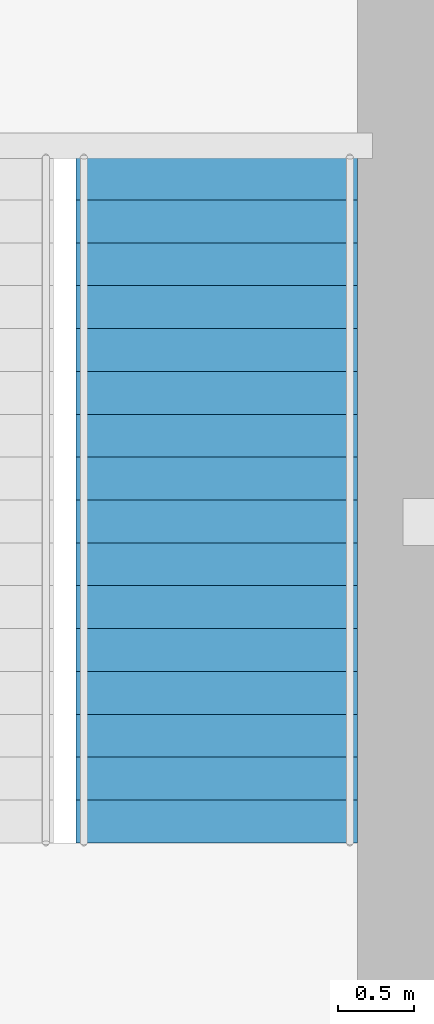
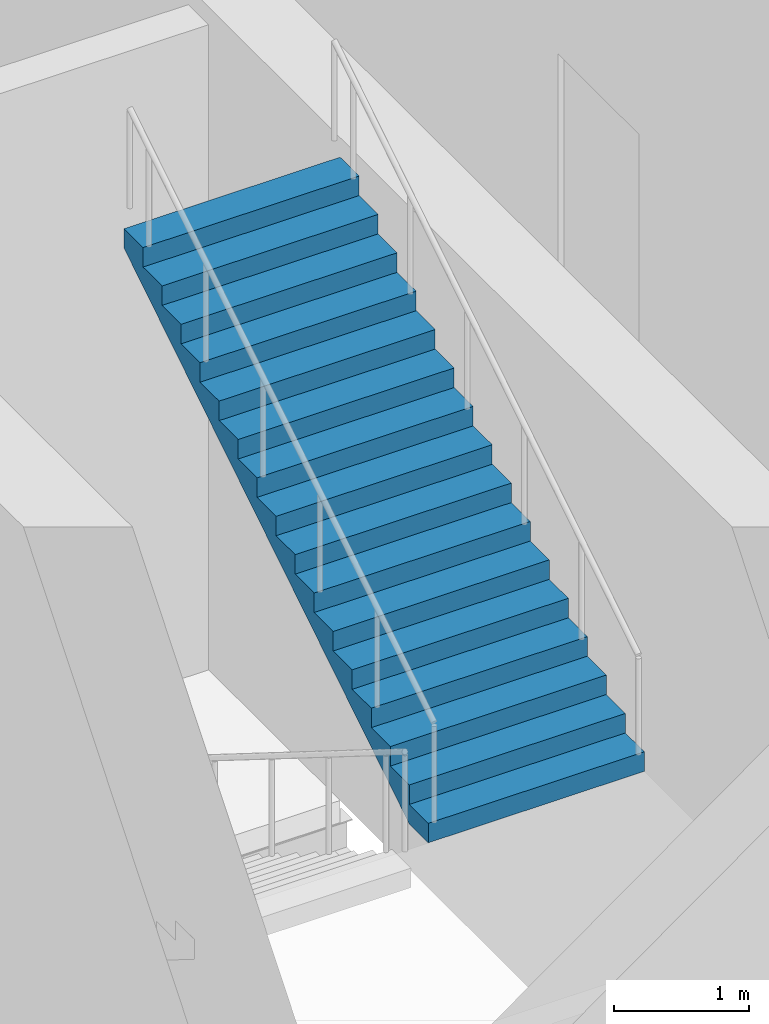
# One storey, part 8 of 10: 1 stair flight, 1 element without a shape of its own.
"""IFC4 building model written with IfcOpenShell, lengths in metres."""

import ifcopenshell
import ifcopenshell.guid

model = None  # the IFC model being written
_history = None  # IfcOwnerHistory: only IFC2X3 demands one
_inside = {}  # id of a spatial element -> (the spatial element, [elements in it])
_under = {}  # id of a project, library or spatial element -> (it, [spatial elements below it])
_declared = {}  # id of a project -> (the project, [libraries it declares])
_typed = {}  # id of a type object -> (the type object, [elements of that type])
_made_of = {}  # id of a material, layer set ... -> (it, [elements and type objects made of it])


def new_model(schema):
    """Start an empty IFC model of exactly this schema.

    Asked for "IFC4X3", IfcOpenShell would pick the latest addendum, in which some entities
    have other attributes; the version numbers below select the first issue.
    IFC2X3 requires an IfcOwnerHistory on every rooted entity: one is made here for all.
    """
    global model, _history
    if schema == "IFC4X3":
        model = ifcopenshell.file(schema_version=(4, 3, 0, 0))
    else:
        model = ifcopenshell.file(schema=schema)
    _inside.clear()
    _under.clear()
    _declared.clear()
    _typed.clear()
    _made_of.clear()
    _history = None
    if model.schema == "IFC2X3":
        org = make("IfcOrganization", Name="unknown")
        user = make(
            "IfcPersonAndOrganization",
            ThePerson=make("IfcPerson", FamilyName="unknown"),
            TheOrganization=org,
        )
        app = make(
            "IfcApplication",
            ApplicationDeveloper=org,
            Version="unknown",
            ApplicationFullName="unknown",
            ApplicationIdentifier="unknown",
        )
        _history = make(
            "IfcOwnerHistory",
            OwningUser=user,
            OwningApplication=app,
            ChangeAction="ADDED",
            CreationDate=0,
        )
    return model


def make(cls, **values):
    """One entity of the class cls with the attributes given. An attribute that is None is left unset."""
    return model.create_entity(
        cls, **{name: value for name, value in values.items() if value is not None}
    )


def rooted(cls, **values):
    """An entity with a GlobalId (a new one), such as an element, a storey or a relation."""
    return make(cls, GlobalId=ifcopenshell.guid.new(), OwnerHistory=_history, **values)


def si_unit(unit_type, name, prefix=None):
    """IfcSIUnit, for example si_unit("LENGTHUNIT", "METRE", prefix="MILLI")."""
    return make("IfcSIUnit", UnitType=unit_type, Prefix=prefix, Name=name)


def assignment(units):
    """IfcUnitAssignment: the units of a project."""
    return None if units is None else make("IfcUnitAssignment", Units=units)


def point(xyz):
    """IfcCartesianPoint."""
    return None if xyz is None else make("IfcCartesianPoint", Coordinates=xyz)


def direction(xyz):
    """IfcDirection."""
    return None if xyz is None else make("IfcDirection", DirectionRatios=xyz)


def frame(location, z_axis=None, x_axis=None):
    """IfcAxis2Placement3D, a coordinate frame: its origin and axes. An axis left out is left unset."""
    return make(
        "IfcAxis2Placement3D",
        Location=point(location),
        Axis=direction(z_axis),
        RefDirection=direction(x_axis),
    )


def origin():
    """The frame at (0, 0, 0) with its axes left unset."""
    return frame((0.0, 0.0, 0.0))


def place(relative_to, where):
    """IfcLocalPlacement: puts the frame where relative to a parent placement (None: the world)."""
    return make(
        "IfcLocalPlacement", PlacementRelTo=relative_to, RelativePlacement=where
    )


def context(
    kind, dimensions, precision=None, world=None, true_north=None, identifier=None
):
    """IfcGeometricRepresentationContext, for example the 3D "Model" context."""
    return make(
        "IfcGeometricRepresentationContext",
        ContextIdentifier=identifier,
        ContextType=kind,
        CoordinateSpaceDimension=dimensions,
        Precision=precision,
        WorldCoordinateSystem=world,
        TrueNorth=true_north,
    )


def subcontext(parent, identifier, kind, view, scale=None):
    """IfcGeometricRepresentationSubContext, for example "Body" below "Model"."""
    return make(
        "IfcGeometricRepresentationSubContext",
        ContextIdentifier=identifier,
        ContextType=kind,
        ParentContext=parent,
        TargetScale=scale,
        TargetView=view,
    )


def project(units=None, contexts=None):
    """IfcProject with its units and contexts."""
    return rooted(
        "IfcProject",
        Name="project",
        RepresentationContexts=contexts,
        UnitsInContext=assignment(units),
    )


def spatial(cls, under=None, at=None, **own):
    """A site, building, storey or space (cls), placed at a placement, below another one or the project."""
    s = rooted(cls, ObjectPlacement=at, **own)
    if under is not None:
        _under.setdefault(under.id(), (under, []))[1].append(s)
    return s


def polyline(points):
    """IfcPolyline through the points."""
    return make("IfcPolyline", Points=[point(p) for p in points])


def outline(outer, holes=None, kind="AREA"):
    """IfcArbitraryClosedProfileDef: a profile drawn as a closed curve; with holes, ...WithVoids."""
    if holes is None:
        return make("IfcArbitraryClosedProfileDef", ProfileType=kind, OuterCurve=outer)
    return make(
        "IfcArbitraryProfileDefWithVoids",
        ProfileType=kind,
        OuterCurve=outer,
        InnerCurves=holes,
    )


def extrude(swept, where, along, depth):
    """IfcExtrudedAreaSolid: the profile swept, set in the frame where, extruded along a direction by depth."""
    return make(
        "IfcExtrudedAreaSolid",
        SweptArea=swept,
        Position=where,
        ExtrudedDirection=direction(along),
        Depth=depth,
    )


def shape(context_of_items, identifier, shape_type, items):
    """IfcShapeRepresentation: the items that make up one representation, for example the "Body"."""
    return make(
        "IfcShapeRepresentation",
        ContextOfItems=context_of_items,
        RepresentationIdentifier=identifier,
        RepresentationType=shape_type,
        Items=items,
    )


def material(Name=None, Category=None):
    """IfcMaterial."""
    return make("IfcMaterial", Name=Name, Category=Category)


def made_of(thing, what):
    """Note that an element or type object is made of a material, layer set ...; save() writes the relation."""
    if what is not None:
        _made_of.setdefault(what.id(), (what, []))[1].append(thing)
    return thing


def type_object(cls, material=None, **own):
    """A type object (cls), such as IfcWallType, which elements share."""
    return made_of(rooted(cls, **own), material)


def element(
    cls,
    number,
    at=None,
    inside=None,
    cuts=None,
    type_object=None,
    material=None,
    context=None,
    identifier="Body",
    shape_type=None,
    held_by="IfcProductDefinitionShape",
    body=None,
    shapes=None,
    **own,
):
    """One element of the class cls, such as IfcWall. Its Tag is "e" and its number.

    at: its placement. inside: the storey or other place that contains it. cuts: it is an
    opening in that element (IfcRelVoidsElement). A single representation is given by context,
    identifier, shape_type and body (its items); several are given by shapes. held_by: the class
    of the entity that holds the representations. save() writes the other relations.
    """
    e = rooted(cls, Tag="e%d" % number, ObjectPlacement=at, **own)
    if body is not None:
        shapes = [shape(context, identifier, shape_type, body)]
    if shapes is not None:
        e.Representation = make(held_by, Representations=shapes)
    if inside is not None:
        _inside.setdefault(inside.id(), (inside, []))[1].append(e)
    if cuts is not None:
        rooted(
            "IfcRelVoidsElement", RelatingBuildingElement=cuts, RelatedOpeningElement=e
        )
    if type_object is not None:
        _typed.setdefault(type_object.id(), (type_object, []))[1].append(e)
    return made_of(e, material)


def aggregate(whole, parts):
    """IfcRelAggregates: a whole, such as a stair, and the parts it consists of."""
    return rooted("IfcRelAggregates", RelatingObject=whole, RelatedObjects=parts)


def save(model, path):
    """Write the relations noted so far, then the file.

    IfcRelAggregates (storeys below a building ...), IfcRelContainedInSpatialStructure (elements
    in a storey), IfcRelDefinesByType, IfcRelAssociatesMaterial and IfcRelDeclares: one each for
    every whole, place, type object, material and project.
    """
    for whole, parts in _under.values():
        aggregate(whole, parts)
    for where, things in _inside.values():
        rooted(
            "IfcRelContainedInSpatialStructure",
            RelatedElements=things,
            RelatingStructure=where,
        )
    for kind, things in _typed.values():
        rooted("IfcRelDefinesByType", RelatedObjects=things, RelatingType=kind)
    for what, things in _made_of.values():
        rooted("IfcRelAssociatesMaterial", RelatedObjects=things, RelatingMaterial=what)
    for by, libraries in _declared.values():
        rooted("IfcRelDeclares", RelatingContext=by, RelatedDefinitions=libraries)
    model.write(path)


model = new_model("IFC4")

# Units and contexts
model_context = context("Model", 3, precision=1e-05, world=origin(), true_north=direction((0.0, 1.0)))
body_context = subcontext(model_context, "Body", "Model", "MODEL_VIEW")
ifc_project = project(units=[si_unit("LENGTHUNIT", "METRE"), si_unit("AREAUNIT", "SQUARE_METRE"), si_unit("VOLUMEUNIT", "CUBIC_METRE"), si_unit("PLANEANGLEUNIT", "RADIAN"), si_unit("MASSUNIT", "GRAM", prefix="KILO")], contexts=[model_context])

# Site, building, storey
site_placement = place(None, origin())
site = spatial("IfcSite", under=ifc_project, at=site_placement, CompositionType="ELEMENT")
building_placement = place(site_placement, origin())
building = spatial("IfcBuilding", under=site, at=building_placement, Name="Corais Broadcast Tower", CompositionType="ELEMENT")
storey_placement = place(building_placement, frame((0.0, 0.0, 23.0)))
storey = spatial("IfcBuildingStorey", under=building, at=storey_placement, Name="L04", CompositionType="ELEMENT", Elevation=23.0)

# Stair, stair flight
ifc_material_1 = material(Name="Concrete C30/37", Category="concrete")
stair_type = type_object("IfcStairType", Name="Half-turn stair 6000", PredefinedType="HALF_TURN_STAIR", material=ifc_material_1)
stair_placement = place(storey_placement, origin())
stair = element("IfcStair", 1, at=stair_placement, inside=storey, type_object=stair_type, Name="Stair B L04", PredefinedType="HALF_TURN_STAIR")
ifc_material_2 = material(Name="Concrete C30/37", Category="concrete")
stair_flight_type = type_object("IfcStairFlightType", Name="Stair flight 6000", PredefinedType="STRAIGHT", material=ifc_material_2)
stair_flight_placement = place(storey_placement, frame((39.27490234375, 24.887939453125, 3.0), z_axis=(0.0, 0.0, 1.0), x_axis=(0.0, 1.0, 0.0)))
stair_flight = element("IfcStairFlight", 2, at=stair_flight_placement, type_object=stair_flight_type, Name="STB flight 2", NumberOfRisers=17, NumberOfTreads=16, PredefinedType="STRAIGHT", RiserHeight=0.176470588, TreadLength=0.282, context=body_context, shape_type="SweptSolid", body=[
    extrude(outline(polyline([(0.0, 0.0), (0.0, 0.176513671875), (0.281982421875, 0.176513671875), (0.281982421875, 0.35302734375), (0.56396484375, 0.35302734375), (0.56396484375, 0.529296875), (0.845947265625, 0.529296875), (0.845947265625, 0.705810546875), (1.1279296875, 0.705810546875), (1.1279296875, 0.88232421875), (1.409912109375, 0.88232421875), (1.409912109375, 1.058837890625), (1.69189453125, 1.058837890625), (1.69189453125, 1.2353515625), (1.97412109375, 1.2353515625), (1.97412109375, 1.411865234375), (2.256103515625, 1.411865234375), (2.256103515625, 1.588134765625), (2.5380859375, 1.588134765625), (2.5380859375, 1.7646484375), (2.820068359375, 1.7646484375), (2.820068359375, 1.941162109375), (3.10205078125, 1.941162109375), (3.10205078125, 2.11767578125), (3.384033203125, 2.11767578125), (3.384033203125, 2.294189453125), (3.666015625, 2.294189453125), (3.666015625, 2.470703125), (3.947998046875, 2.470703125), (3.947998046875, 2.64697265625), (4.22998046875, 2.64697265625), (4.22998046875, 2.823486328125), (4.511962890625, 2.823486328125), (4.511962890625, 3.0), (4.511962890625, 2.646728515625), (0.282470703125, 0.0), (0.0, 0.0)])), frame((0.0, 0.925048828125, 0.0), z_axis=(0.0, -1.0, 0.0), x_axis=(1.0, 0.0, 0.0)), (0.0, 0.0, 1.0), 1.85009765625),
])
aggregate(stair, [stair_flight])

save(model, "model.ifc")
